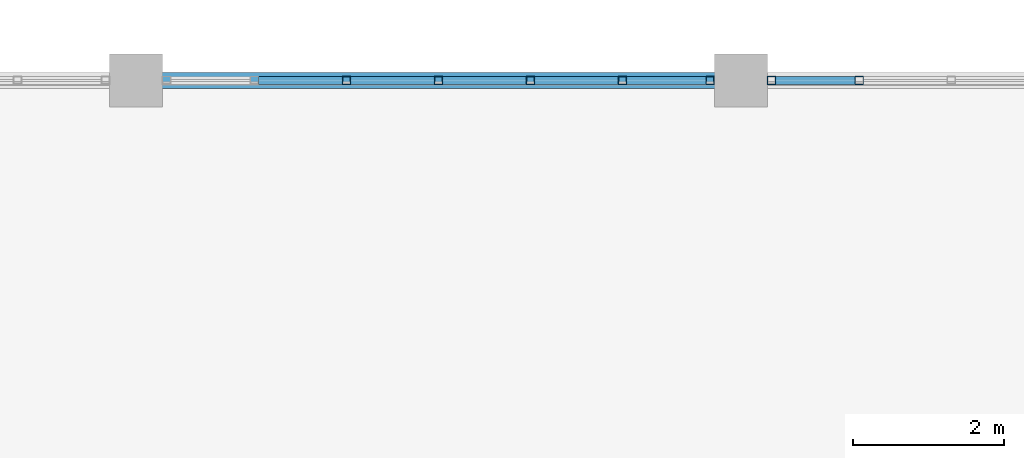
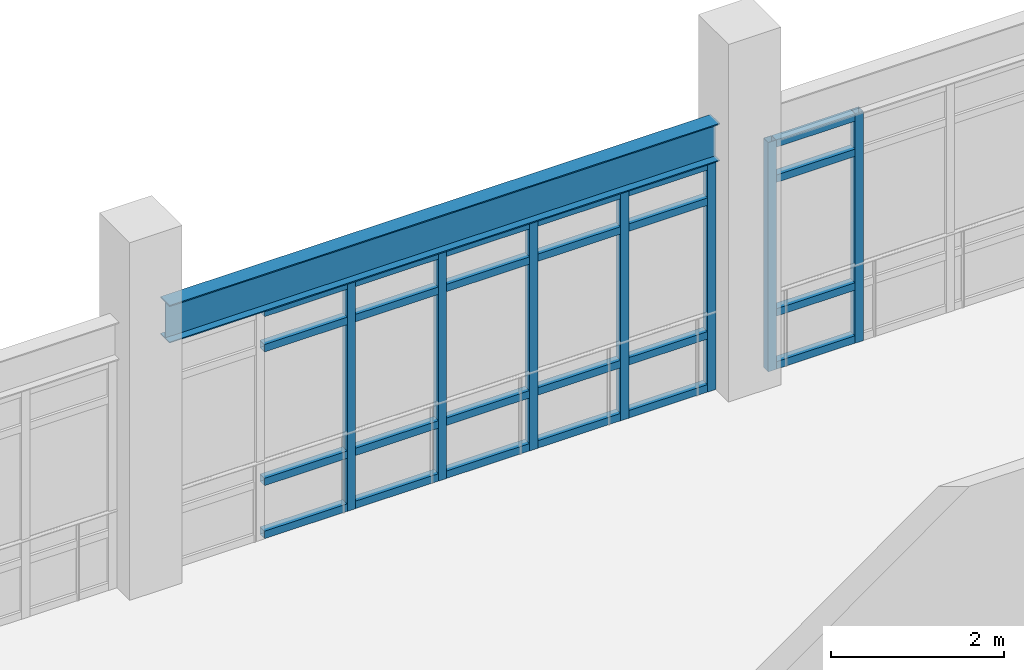
# One storey, part 99 of 159: 31 members, 1 beam, 2 elements without a shape of their own.
"""IFC4 building model written with IfcOpenShell, lengths in metres."""

from ifc_helpers import new_model, si_unit, direction, frame, origin, origin_2d, place, context, subcontext, project, spatial, hollow_rectangle, i_section, extrude, material, material_profile, profile_set, type_object, element, aggregate, save


model = new_model("IFC4")

# Units and contexts
model_context = context("Model", 3, precision=1e-05, world=origin(), true_north=direction((0.0, 1.0)))
body_context = subcontext(model_context, "Body", "Model", "MODEL_VIEW")
ifc_project = project(units=[si_unit("LENGTHUNIT", "METRE"), si_unit("AREAUNIT", "SQUARE_METRE"), si_unit("VOLUMEUNIT", "CUBIC_METRE"), si_unit("PLANEANGLEUNIT", "RADIAN"), si_unit("MASSUNIT", "GRAM", prefix="KILO")], contexts=[model_context])

# Site, building, storey
site_placement = place(None, origin())
site = spatial("IfcSite", under=ifc_project, at=site_placement, CompositionType="ELEMENT")
building_placement = place(site_placement, origin())
building = spatial("IfcBuilding", under=site, at=building_placement, Name="Celadon Cloister-Ring School", CompositionType="ELEMENT")
storey_placement = place(building_placement, frame((0.0, 0.0, 4.5)))
storey = spatial("IfcBuildingStorey", under=building, at=storey_placement, Name="L01", CompositionType="ELEMENT", Elevation=4.5)

# Curtain wall, members
ifc_material_1 = material(Name="Aluminium EN AW-6063 T6", Category="aluminium")
curtain_wall_type = type_object("IfcCurtainWallType", Name="CW-08", PredefinedType="USERDEFINED", material=ifc_material_1)
curtain_wall_1_placement = place(storey_placement, origin())
curtain_wall_1 = element("IfcCurtainWall", 1, at=curtain_wall_1_placement, inside=storey, type_object=curtain_wall_type, Name="Curtain Wall 0181", ObjectType="CURTAIN WALL", PredefinedType="USERDEFINED")
ifc_material_2 = material(Name="Aluminium EN AW-6063 T6", Category="aluminium")
ifc_material_profile_1 = material_profile(ifc_material_2, hollow_rectangle(XDim=0.110107421875, YDim=0.110107421875, WallThickness=0.0048828125, at=origin_2d()), Name="RHS110X110X5")
ifc_profile_set_1 = profile_set([ifc_material_profile_1], Name="Aluminium EN AW-6063 T6")
member_type_1 = type_object("IfcMemberType", Name="CM-01", PredefinedType="MULLION", material=ifc_profile_set_1)
member_1_placement = place(storey_placement, frame((152.783447265625, 114.0, 0.0), z_axis=(0.0, 0.0, 1.0), x_axis=(0.0, 1.0, 0.0)))
member_1 = element("IfcMember", 2, at=member_1_placement, type_object=member_type_1, Name="CW-08 mullion 3", PredefinedType="MULLION", context=body_context, shape_type="SweptSolid", body=[
    extrude(hollow_rectangle(XDim=0.110107421875, YDim=0.110107421875, WallThickness=0.0048828125, at=origin_2d()), origin(), (0.0, 0.0, 1.0), 3.239013671875),
])
member_2_placement = place(storey_placement, frame((154.0, 114.0, 0.0), z_axis=(0.0, 0.0, 1.0), x_axis=(0.0, 1.0, 0.0)))
member_2 = element("IfcMember", 3, at=member_2_placement, type_object=member_type_1, Name="CW-08 mullion 4", PredefinedType="MULLION", context=body_context, shape_type="SweptSolid", body=[
    extrude(hollow_rectangle(XDim=0.110107421875, YDim=0.110107421875, WallThickness=0.0048828125, at=origin_2d()), origin(), (0.0, 0.0, 1.0), 3.239013671875),
])
member_3_placement = place(storey_placement, frame((155.216552734375, 114.0, 0.0), z_axis=(0.0, 0.0, 1.0), x_axis=(0.0, 1.0, 0.0)))
member_3 = element("IfcMember", 4, at=member_3_placement, type_object=member_type_1, Name="CW-08 mullion 5", PredefinedType="MULLION", context=body_context, shape_type="SweptSolid", body=[
    extrude(hollow_rectangle(XDim=0.110107421875, YDim=0.110107421875, WallThickness=0.0048828125, at=origin_2d()), origin(), (0.0, 0.0, 1.0), 3.239013671875),
])
member_4_placement = place(storey_placement, frame((156.433349609375, 114.0, 0.0), z_axis=(0.0, 0.0, 1.0), x_axis=(0.0, 1.0, 0.0)))
member_4 = element("IfcMember", 5, at=member_4_placement, type_object=member_type_1, Name="CW-08 mullion 6", PredefinedType="MULLION", context=body_context, shape_type="SweptSolid", body=[
    extrude(hollow_rectangle(XDim=0.110107421875, YDim=0.110107421875, WallThickness=0.0048828125, at=origin_2d()), origin(), (0.0, 0.0, 1.0), 3.239013671875),
])
member_5_placement = place(storey_placement, frame((157.594970703125, 114.0, 0.0), z_axis=(0.0, 0.0, 1.0), x_axis=(0.0, 1.0, 0.0)))
member_5 = element("IfcMember", 6, at=member_5_placement, type_object=member_type_1, Name="CW-08 mullion 7", PredefinedType="MULLION", context=body_context, shape_type="SweptSolid", body=[
    extrude(hollow_rectangle(XDim=0.110107421875, YDim=0.110107421875, WallThickness=0.0048828125, at=origin_2d()), origin(), (0.0, 0.0, 1.0), 3.239013671875),
])

curtain_wall_2_placement = place(storey_placement, origin())
curtain_wall_2 = element("IfcCurtainWall", 7, at=curtain_wall_2_placement, inside=storey, type_object=curtain_wall_type, Name="Curtain Wall 0182", ObjectType="CURTAIN WALL", PredefinedType="USERDEFINED")
member_6_placement = place(storey_placement, frame((158.405029296875, 114.0, 0.0), z_axis=(0.0, 0.0, 1.0), x_axis=(0.0, 1.0, 0.0)))
member_6 = element("IfcMember", 8, at=member_6_placement, type_object=member_type_1, Name="CW-08 mullion 1", PredefinedType="MULLION", context=body_context, shape_type="SweptSolid", body=[
    extrude(hollow_rectangle(XDim=0.110107421875, YDim=0.110107421875, WallThickness=0.0048828125, at=origin_2d()), origin(), (0.0, 0.0, 1.0), 3.239013671875),
])
member_7_placement = place(storey_placement, frame((159.566650390625, 114.0, 0.0), z_axis=(0.0, 0.0, 1.0), x_axis=(0.0, 1.0, 0.0)))
member_7 = element("IfcMember", 9, at=member_7_placement, type_object=member_type_1, Name="CW-08 mullion 2", PredefinedType="MULLION", context=body_context, shape_type="SweptSolid", body=[
    extrude(hollow_rectangle(XDim=0.110107421875, YDim=0.110107421875, WallThickness=0.0048828125, at=origin_2d()), origin(), (0.0, 0.0, 1.0), 3.239013671875),
])

# Member
ifc_material_3 = material(Name="Aluminium EN AW-6063 T6", Category="aluminium")
ifc_material_profile_2 = material_profile(ifc_material_3, hollow_rectangle(XDim=0.10498046875, YDim=0.10498046875, WallThickness=0.0048828125, at=origin_2d()), Name="RHS105X105X5")
ifc_profile_set_2 = profile_set([ifc_material_profile_2], Name="Aluminium EN AW-6063 T6")
member_type_2 = type_object("IfcMemberType", Name="CTM-01", PredefinedType="USERDEFINED", material=ifc_profile_set_2)
member_8_placement = place(storey_placement, frame((151.62158203125, 114.0, 0.052490234375), z_axis=(1.0, 0.0, 0.0), x_axis=(0.0, 1.0, 0.0)))
member_8 = element("IfcMember", 10, at=member_8_placement, type_object=member_type_2, Name="CW-08 transom 2.1", ObjectType="TRANSOM", PredefinedType="USERDEFINED", context=body_context, shape_type="SweptSolid", body=[
    extrude(hollow_rectangle(XDim=0.10498046875, YDim=0.10498046875, WallThickness=0.0048828125, at=origin_2d()), origin(), (0.0, 0.0, 1.0), 1.106689453125),
])

member_9_placement = place(storey_placement, frame((151.62158203125, 114.0, 0.800048828125), z_axis=(1.0, 0.0, 0.0), x_axis=(0.0, 1.0, 0.0)))
member_9 = element("IfcMember", 11, at=member_9_placement, type_object=member_type_2, Name="CW-08 transom 2.2", ObjectType="TRANSOM", PredefinedType="USERDEFINED", context=body_context, shape_type="SweptSolid", body=[
    extrude(hollow_rectangle(XDim=0.10498046875, YDim=0.10498046875, WallThickness=0.0048828125, at=origin_2d()), origin(), (0.0, 0.0, 1.0), 1.106689453125),
])

member_10_placement = place(storey_placement, frame((151.62158203125, 114.0, 2.68896484375), z_axis=(1.0, 0.0, 0.0), x_axis=(0.0, 1.0, 0.0)))
member_10 = element("IfcMember", 12, at=member_10_placement, type_object=member_type_2, Name="CW-08 transom 2.3", ObjectType="TRANSOM", PredefinedType="USERDEFINED", context=body_context, shape_type="SweptSolid", body=[
    extrude(hollow_rectangle(XDim=0.10498046875, YDim=0.10498046875, WallThickness=0.0048828125, at=origin_2d()), origin(), (0.0, 0.0, 1.0), 1.106689453125),
])

member_11_placement = place(storey_placement, frame((151.62158203125, 114.0, 3.1865234375), z_axis=(1.0, 0.0, 0.0), x_axis=(0.0, 1.0, 0.0)))
member_11 = element("IfcMember", 13, at=member_11_placement, type_object=member_type_2, Name="CW-08 transom 2.4", ObjectType="TRANSOM", PredefinedType="USERDEFINED", context=body_context, shape_type="SweptSolid", body=[
    extrude(hollow_rectangle(XDim=0.10498046875, YDim=0.10498046875, WallThickness=0.0048828125, at=origin_2d()), origin(), (0.0, 0.0, 1.0), 1.106689453125),
])

member_12_placement = place(storey_placement, frame((152.83837890625, 114.0, 0.052490234375), z_axis=(1.0, 0.0, 0.0), x_axis=(0.0, 1.0, 0.0)))
member_12 = element("IfcMember", 14, at=member_12_placement, type_object=member_type_2, Name="CW-08 transom 3.1", ObjectType="TRANSOM", PredefinedType="USERDEFINED", context=body_context, shape_type="SweptSolid", body=[
    extrude(hollow_rectangle(XDim=0.10498046875, YDim=0.10498046875, WallThickness=0.0048828125, at=origin_2d()), origin(), (0.0, 0.0, 1.0), 1.106689453125),
])

member_13_placement = place(storey_placement, frame((152.83837890625, 114.0, 0.800048828125), z_axis=(1.0, 0.0, 0.0), x_axis=(0.0, 1.0, 0.0)))
member_13 = element("IfcMember", 15, at=member_13_placement, type_object=member_type_2, Name="CW-08 transom 3.2", ObjectType="TRANSOM", PredefinedType="USERDEFINED", context=body_context, shape_type="SweptSolid", body=[
    extrude(hollow_rectangle(XDim=0.10498046875, YDim=0.10498046875, WallThickness=0.0048828125, at=origin_2d()), origin(), (0.0, 0.0, 1.0), 1.106689453125),
])

member_14_placement = place(storey_placement, frame((152.83837890625, 114.0, 2.68896484375), z_axis=(1.0, 0.0, 0.0), x_axis=(0.0, 1.0, 0.0)))
member_14 = element("IfcMember", 16, at=member_14_placement, type_object=member_type_2, Name="CW-08 transom 3.3", ObjectType="TRANSOM", PredefinedType="USERDEFINED", context=body_context, shape_type="SweptSolid", body=[
    extrude(hollow_rectangle(XDim=0.10498046875, YDim=0.10498046875, WallThickness=0.0048828125, at=origin_2d()), origin(), (0.0, 0.0, 1.0), 1.106689453125),
])

member_15_placement = place(storey_placement, frame((152.83837890625, 114.0, 3.1865234375), z_axis=(1.0, 0.0, 0.0), x_axis=(0.0, 1.0, 0.0)))
member_15 = element("IfcMember", 17, at=member_15_placement, type_object=member_type_2, Name="CW-08 transom 3.4", ObjectType="TRANSOM", PredefinedType="USERDEFINED", context=body_context, shape_type="SweptSolid", body=[
    extrude(hollow_rectangle(XDim=0.10498046875, YDim=0.10498046875, WallThickness=0.0048828125, at=origin_2d()), origin(), (0.0, 0.0, 1.0), 1.106689453125),
])

member_16_placement = place(storey_placement, frame((154.054931640625, 114.0, 0.052490234375), z_axis=(1.0, 0.0, 0.0), x_axis=(0.0, 1.0, 0.0)))
member_16 = element("IfcMember", 18, at=member_16_placement, type_object=member_type_2, Name="CW-08 transom 4.1", ObjectType="TRANSOM", PredefinedType="USERDEFINED", context=body_context, shape_type="SweptSolid", body=[
    extrude(hollow_rectangle(XDim=0.10498046875, YDim=0.10498046875, WallThickness=0.0048828125, at=origin_2d()), origin(), (0.0, 0.0, 1.0), 1.106689453125),
])

member_17_placement = place(storey_placement, frame((154.054931640625, 114.0, 0.800048828125), z_axis=(1.0, 0.0, 0.0), x_axis=(0.0, 1.0, 0.0)))
member_17 = element("IfcMember", 19, at=member_17_placement, type_object=member_type_2, Name="CW-08 transom 4.2", ObjectType="TRANSOM", PredefinedType="USERDEFINED", context=body_context, shape_type="SweptSolid", body=[
    extrude(hollow_rectangle(XDim=0.10498046875, YDim=0.10498046875, WallThickness=0.0048828125, at=origin_2d()), origin(), (0.0, 0.0, 1.0), 1.106689453125),
])

member_18_placement = place(storey_placement, frame((154.054931640625, 114.0, 2.68896484375), z_axis=(1.0, 0.0, 0.0), x_axis=(0.0, 1.0, 0.0)))
member_18 = element("IfcMember", 20, at=member_18_placement, type_object=member_type_2, Name="CW-08 transom 4.3", ObjectType="TRANSOM", PredefinedType="USERDEFINED", context=body_context, shape_type="SweptSolid", body=[
    extrude(hollow_rectangle(XDim=0.10498046875, YDim=0.10498046875, WallThickness=0.0048828125, at=origin_2d()), origin(), (0.0, 0.0, 1.0), 1.106689453125),
])

member_19_placement = place(storey_placement, frame((154.054931640625, 114.0, 3.1865234375), z_axis=(1.0, 0.0, 0.0), x_axis=(0.0, 1.0, 0.0)))
member_19 = element("IfcMember", 21, at=member_19_placement, type_object=member_type_2, Name="CW-08 transom 4.4", ObjectType="TRANSOM", PredefinedType="USERDEFINED", context=body_context, shape_type="SweptSolid", body=[
    extrude(hollow_rectangle(XDim=0.10498046875, YDim=0.10498046875, WallThickness=0.0048828125, at=origin_2d()), origin(), (0.0, 0.0, 1.0), 1.106689453125),
])

member_20_placement = place(storey_placement, frame((155.271728515625, 114.0, 0.052490234375), z_axis=(1.0, 0.0, 0.0), x_axis=(0.0, 1.0, 0.0)))
member_20 = element("IfcMember", 22, at=member_20_placement, type_object=member_type_2, Name="CW-08 transom 5.1", ObjectType="TRANSOM", PredefinedType="USERDEFINED", context=body_context, shape_type="SweptSolid", body=[
    extrude(hollow_rectangle(XDim=0.10498046875, YDim=0.10498046875, WallThickness=0.0048828125, at=origin_2d()), origin(), (0.0, 0.0, 1.0), 1.106689453125),
])

member_21_placement = place(storey_placement, frame((155.271728515625, 114.0, 0.800048828125), z_axis=(1.0, 0.0, 0.0), x_axis=(0.0, 1.0, 0.0)))
member_21 = element("IfcMember", 23, at=member_21_placement, type_object=member_type_2, Name="CW-08 transom 5.2", ObjectType="TRANSOM", PredefinedType="USERDEFINED", context=body_context, shape_type="SweptSolid", body=[
    extrude(hollow_rectangle(XDim=0.10498046875, YDim=0.10498046875, WallThickness=0.0048828125, at=origin_2d()), origin(), (0.0, 0.0, 1.0), 1.106689453125),
])

member_22_placement = place(storey_placement, frame((155.271728515625, 114.0, 2.68896484375), z_axis=(1.0, 0.0, 0.0), x_axis=(0.0, 1.0, 0.0)))
member_22 = element("IfcMember", 24, at=member_22_placement, type_object=member_type_2, Name="CW-08 transom 5.3", ObjectType="TRANSOM", PredefinedType="USERDEFINED", context=body_context, shape_type="SweptSolid", body=[
    extrude(hollow_rectangle(XDim=0.10498046875, YDim=0.10498046875, WallThickness=0.0048828125, at=origin_2d()), origin(), (0.0, 0.0, 1.0), 1.106689453125),
])

member_23_placement = place(storey_placement, frame((155.271728515625, 114.0, 3.1865234375), z_axis=(1.0, 0.0, 0.0), x_axis=(0.0, 1.0, 0.0)))
member_23 = element("IfcMember", 25, at=member_23_placement, type_object=member_type_2, Name="CW-08 transom 5.4", ObjectType="TRANSOM", PredefinedType="USERDEFINED", context=body_context, shape_type="SweptSolid", body=[
    extrude(hollow_rectangle(XDim=0.10498046875, YDim=0.10498046875, WallThickness=0.0048828125, at=origin_2d()), origin(), (0.0, 0.0, 1.0), 1.106689453125),
])

member_24_placement = place(storey_placement, frame((156.48828125, 114.0, 0.052490234375), z_axis=(1.0, 0.0, 0.0), x_axis=(0.0, 1.0, 0.0)))
member_24 = element("IfcMember", 26, at=member_24_placement, type_object=member_type_2, Name="CW-08 transom 6.1", ObjectType="TRANSOM", PredefinedType="USERDEFINED", context=body_context, shape_type="SweptSolid", body=[
    extrude(hollow_rectangle(XDim=0.10498046875, YDim=0.10498046875, WallThickness=0.0048828125, at=origin_2d()), origin(), (0.0, 0.0, 1.0), 1.0517578125),
])

member_25_placement = place(storey_placement, frame((156.48828125, 114.0, 0.800048828125), z_axis=(1.0, 0.0, 0.0), x_axis=(0.0, 1.0, 0.0)))
member_25 = element("IfcMember", 27, at=member_25_placement, type_object=member_type_2, Name="CW-08 transom 6.2", ObjectType="TRANSOM", PredefinedType="USERDEFINED", context=body_context, shape_type="SweptSolid", body=[
    extrude(hollow_rectangle(XDim=0.10498046875, YDim=0.10498046875, WallThickness=0.0048828125, at=origin_2d()), origin(), (0.0, 0.0, 1.0), 1.0517578125),
])

member_26_placement = place(storey_placement, frame((156.48828125, 114.0, 2.68896484375), z_axis=(1.0, 0.0, 0.0), x_axis=(0.0, 1.0, 0.0)))
member_26 = element("IfcMember", 28, at=member_26_placement, type_object=member_type_2, Name="CW-08 transom 6.3", ObjectType="TRANSOM", PredefinedType="USERDEFINED", context=body_context, shape_type="SweptSolid", body=[
    extrude(hollow_rectangle(XDim=0.10498046875, YDim=0.10498046875, WallThickness=0.0048828125, at=origin_2d()), origin(), (0.0, 0.0, 1.0), 1.0517578125),
])

member_27_placement = place(storey_placement, frame((156.48828125, 114.0, 3.1865234375), z_axis=(1.0, 0.0, 0.0), x_axis=(0.0, 1.0, 0.0)))
member_27 = element("IfcMember", 29, at=member_27_placement, type_object=member_type_2, Name="CW-08 transom 6.4", ObjectType="TRANSOM", PredefinedType="USERDEFINED", context=body_context, shape_type="SweptSolid", body=[
    extrude(hollow_rectangle(XDim=0.10498046875, YDim=0.10498046875, WallThickness=0.0048828125, at=origin_2d()), origin(), (0.0, 0.0, 1.0), 1.0517578125),
])

aggregate(curtain_wall_1, [member_1, member_2, member_3, member_4, member_5, member_8, member_9, member_10, member_11, member_12, member_13, member_14, member_15, member_16, member_17, member_18, member_19, member_20, member_21, member_22, member_23, member_24, member_25, member_26, member_27])

member_28_placement = place(storey_placement, frame((158.4599609375, 114.0, 0.052490234375), z_axis=(1.0, 0.0, 0.0), x_axis=(0.0, 1.0, 0.0)))
member_28 = element("IfcMember", 30, at=member_28_placement, type_object=member_type_2, Name="CW-08 transom 1.1", ObjectType="TRANSOM", PredefinedType="USERDEFINED", context=body_context, shape_type="SweptSolid", body=[
    extrude(hollow_rectangle(XDim=0.10498046875, YDim=0.10498046875, WallThickness=0.0048828125, at=origin_2d()), origin(), (0.0, 0.0, 1.0), 1.0517578125),
])

member_29_placement = place(storey_placement, frame((158.4599609375, 114.0, 0.800048828125), z_axis=(1.0, 0.0, 0.0), x_axis=(0.0, 1.0, 0.0)))
member_29 = element("IfcMember", 31, at=member_29_placement, type_object=member_type_2, Name="CW-08 transom 1.2", ObjectType="TRANSOM", PredefinedType="USERDEFINED", context=body_context, shape_type="SweptSolid", body=[
    extrude(hollow_rectangle(XDim=0.10498046875, YDim=0.10498046875, WallThickness=0.0048828125, at=origin_2d()), origin(), (0.0, 0.0, 1.0), 1.0517578125),
])

member_30_placement = place(storey_placement, frame((158.4599609375, 114.0, 2.68896484375), z_axis=(1.0, 0.0, 0.0), x_axis=(0.0, 1.0, 0.0)))
member_30 = element("IfcMember", 32, at=member_30_placement, type_object=member_type_2, Name="CW-08 transom 1.3", ObjectType="TRANSOM", PredefinedType="USERDEFINED", context=body_context, shape_type="SweptSolid", body=[
    extrude(hollow_rectangle(XDim=0.10498046875, YDim=0.10498046875, WallThickness=0.0048828125, at=origin_2d()), origin(), (0.0, 0.0, 1.0), 1.0517578125),
])

member_31_placement = place(storey_placement, frame((158.4599609375, 114.0, 3.1865234375), z_axis=(1.0, 0.0, 0.0), x_axis=(0.0, 1.0, 0.0)))
member_31 = element("IfcMember", 33, at=member_31_placement, type_object=member_type_2, Name="CW-08 transom 1.4", ObjectType="TRANSOM", PredefinedType="USERDEFINED", context=body_context, shape_type="SweptSolid", body=[
    extrude(hollow_rectangle(XDim=0.10498046875, YDim=0.10498046875, WallThickness=0.0048828125, at=origin_2d()), origin(), (0.0, 0.0, 1.0), 1.0517578125),
])

aggregate(curtain_wall_2, [member_6, member_7, member_28, member_29, member_30, member_31])

# Beam
ifc_material_4 = material(Name="Structural steel S355JR", Category="steel")
ifc_material_profile_3 = material_profile(ifc_material_4, i_section(OverallWidth=0.208984375, OverallDepth=0.532958984375, WebThickness=0.01025390625, FlangeThickness=0.015625, at=origin_2d()), Name="W530X92")
ifc_profile_set_3 = profile_set([ifc_material_profile_3], Name="Structural steel S355JR")
beam_type = type_object("IfcBeamType", Name="GT-06", PredefinedType="USERDEFINED", material=ifc_profile_set_3)
beam_placement = place(storey_placement, frame((150.324951171875, 114.0, 3.512939453125), z_axis=(1.0, 0.0, 0.0), x_axis=(0.0, 1.0, 0.0)))
element("IfcBeam", 34, at=beam_placement, inside=storey, type_object=beam_type, Name="Beam 1165", ObjectType="GIRDER", PredefinedType="USERDEFINED", context=body_context, shape_type="SweptSolid", body=[
    extrude(i_section(OverallWidth=0.208984375, OverallDepth=0.532958984375, WebThickness=0.01025390625, FlangeThickness=0.015625, at=origin_2d()), origin(), (0.0, 0.0, 1.0), 7.35009765625),
])

save(model, "model.ifc")
